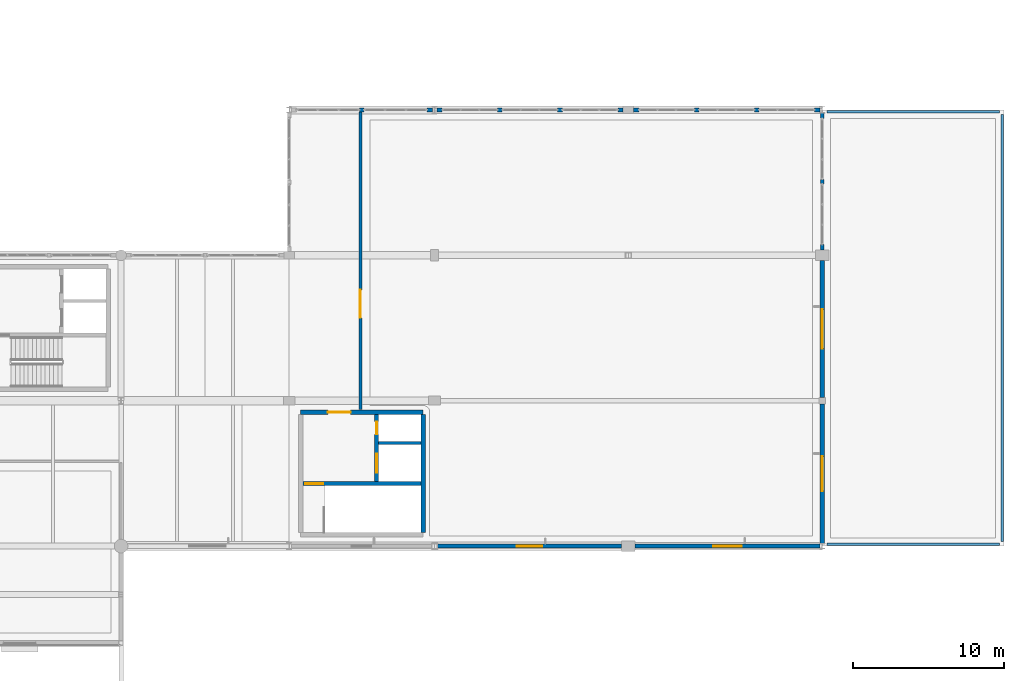
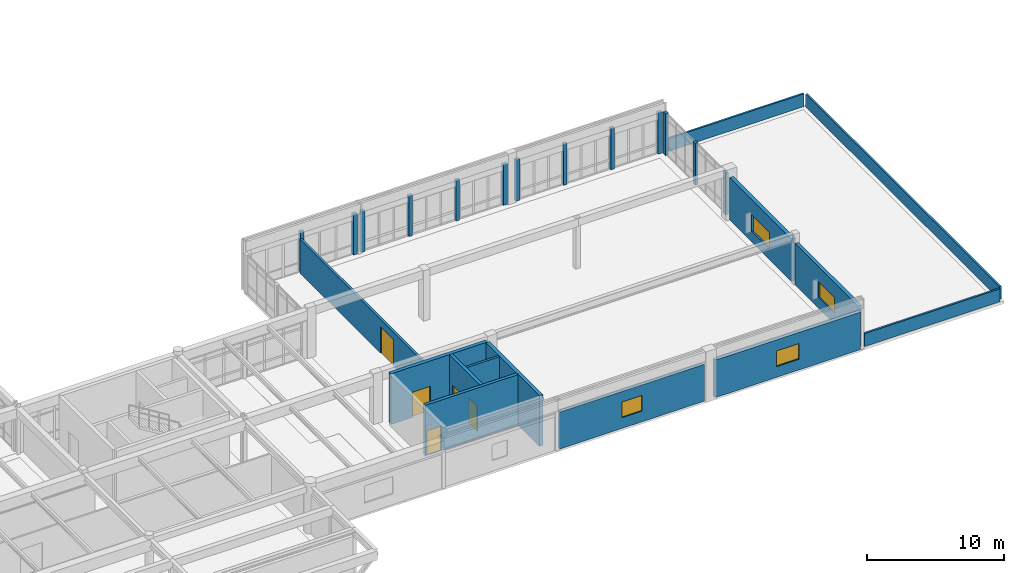
# One storey, part 69 of 80: 26 walls, 5 doors, 4 windows, 9 openings.
"""IFC4 building model written with IfcOpenShell, lengths in metres."""

from ifc_helpers import new_model, si_unit, direction, frame, frame_2d, origin, place, context, subcontext, project, spatial, rectangle, extrude, material, layer, layer_set, type_object, element, fill, save


model = new_model("IFC4")

# Units and contexts
model_context = context("Model", 3, precision=1e-05, world=origin(), true_north=direction((0.0, 1.0)))
body_context = subcontext(model_context, "Body", "Model", "MODEL_VIEW")
ifc_project = project(units=[si_unit("LENGTHUNIT", "METRE"), si_unit("AREAUNIT", "SQUARE_METRE"), si_unit("VOLUMEUNIT", "CUBIC_METRE"), si_unit("PLANEANGLEUNIT", "RADIAN"), si_unit("MASSUNIT", "GRAM", prefix="KILO")], contexts=[model_context])

# Site, building, storey
site_placement = place(None, origin())
site = spatial("IfcSite", under=ifc_project, at=site_placement, CompositionType="ELEMENT")
building_placement = place(site_placement, origin())
building = spatial("IfcBuilding", under=site, at=building_placement, Name="Fikremerkos Civic Library", CompositionType="ELEMENT")
storey_placement = place(building_placement, frame((0.0, 0.0, 9.89990234375)))
storey = spatial("IfcBuildingStorey", under=building, at=storey_placement, Name="L02", CompositionType="ELEMENT", Elevation=9.89990234375)

# Wall, opening, door
ifc_material_1 = material(Name="Concrete C40/50", Category="concrete")
ifc_layer_1 = layer(ifc_material_1, 0.300048828125, Name="Concrete C40/50")
ifc_layer_set_1 = layer_set([ifc_layer_1], Name="Concrete C40/50")
wall_type_1 = type_object("IfcWallType", Name="Core shear wall CSW-01 300", PredefinedType="SHEAR", material=ifc_layer_set_1)
wall_1_placement = place(storey_placement, frame((125.550048828125, 20.85009765625, 0.0), z_axis=(0.0, 0.0, 1.0), x_axis=(1.0, 0.0, 0.0)))
wall_1 = element("IfcWall", 1, at=wall_1_placement, inside=storey, type_object=wall_type_1, Name="Core K4 north shear wall L02", PredefinedType="SHEAR", context=body_context, shape_type="SweptSolid", body=[
    extrude(rectangle(XDim=8.099853515625, YDim=0.300048828125, at=frame_2d((4.0498046875, 0.0))), origin(), (0.0, 0.0, 1.0), 4.5),
])
opening_1_placement = place(wall_1_placement, frame((1.800048828125, 0.0, 0.0)))
opening_1 = element("IfcOpeningElement", 2, at=opening_1_placement, cuts=wall_1, Name="Opening D113", PredefinedType="OPENING", context=body_context, shape_type="SweptSolid", body=[
    extrude(rectangle(XDim=1.5, YDim=2.25, at=frame_2d((0.75, 1.125))), frame((0.0, 0.159912109375, 0.0), z_axis=(0.0, -1.0, 0.0), x_axis=(1.0, 0.0, 0.0)), (0.0, 0.0, 1.0), 0.320068359375),
])
ifc_material_2 = material(Name="Hardwood timber and acoustic glass", Category="wood")
door_type_1 = type_object("IfcDoorType", Name="Pedestrian door DT-05 1500x2250", OperationType="NOTDEFINED", PredefinedType="DOOR", material=ifc_material_2)
door_1_placement = place(opening_1_placement, origin())
door_1 = element("IfcDoor", 3, at=door_1_placement, inside=storey, type_object=door_type_1, Name="Core K4 lobby fire door D113 L02", OperationType="SINGLE_SWING_LEFT", OverallHeight=2.25, OverallWidth=1.5, PredefinedType="DOOR", context=body_context, shape_type="SweptSolid", body=[
    extrude(rectangle(XDim=1.5, YDim=2.25, at=frame_2d((0.75, 1.125))), frame((0.0, 0.032470703125, 0.0), z_axis=(0.0, -1.0, 0.0), x_axis=(1.0, 0.0, 0.0)), (0.0, 0.0, 1.0), 0.06494140625),
])
fill(opening_1, door_1)

# Wall
wall_2_placement = place(storey_placement, frame((133.64990234375, 20.697998046875, 0.0), z_axis=(0.0, 0.0, 1.0), x_axis=(0.0, -1.0, 0.0)))
element("IfcWall", 4, at=wall_2_placement, inside=storey, type_object=wall_type_1, Name="Core K4 east shear wall L02", PredefinedType="SHEAR", context=body_context, shape_type="SweptSolid", body=[
    extrude(rectangle(XDim=7.7958984375, YDim=0.300048828125, at=frame_2d((3.89794921875, 0.0))), origin(), (0.0, 0.0, 1.0), 4.5),
])

# Wall, opening, door
ifc_layer_2 = layer(ifc_material_1, 0.260009765625, Name="Concrete C40/50")
ifc_layer_set_2 = layer_set([ifc_layer_2], Name="Concrete C40/50")
wall_type_2 = type_object("IfcWallType", Name="Core shear wall CSW-02 260", PredefinedType="SHEAR", material=ifc_layer_set_2)
wall_3_placement = place(storey_placement, frame((125.701904296875, 16.1298828125, 0.0), z_axis=(0.0, 0.0, 1.0), x_axis=(1.0, 0.0, 0.0)))
wall_3 = element("IfcWall", 5, at=wall_3_placement, inside=storey, type_object=wall_type_2, Name="Core K4 stair compartment wall L02", PredefinedType="SHEAR", context=body_context, shape_type="SweptSolid", body=[
    extrude(rectangle(XDim=7.796142578125, YDim=0.260009765625, at=frame_2d((3.89794921875, 0.0))), origin(), (0.0, 0.0, 1.0), 4.5),
])
opening_2_placement = place(wall_3_placement, frame((0.14794921875, 0.0, 0.0)))
opening_2 = element("IfcOpeningElement", 6, at=opening_2_placement, cuts=wall_3, Name="Opening D114", PredefinedType="OPENING", context=body_context, shape_type="SweptSolid", body=[
    extrude(rectangle(XDim=1.199951171875, YDim=2.199951171875, at=frame_2d((0.60009765625, 1.10009765625))), frame((0.0, 0.139892578125, 0.0), z_axis=(0.0, -1.0, 0.0), x_axis=(1.0, 0.0, 0.0)), (0.0, 0.0, 1.0), 0.280029296875),
])
door_type_2 = type_object("IfcDoorType", Name="Pedestrian door DT-06 1200x2200", OperationType="NOTDEFINED", PredefinedType="DOOR", material=ifc_material_2)
door_2_placement = place(opening_2_placement, origin())
door_2 = element("IfcDoor", 7, at=door_2_placement, inside=storey, type_object=door_type_2, Name="Core K4 stair fire door D114 L02", OperationType="SINGLE_SWING_RIGHT", OverallHeight=2.199951171875, OverallWidth=1.199951171875, PredefinedType="DOOR", context=body_context, shape_type="SweptSolid", body=[
    extrude(rectangle(XDim=1.199951171875, YDim=2.199951171875, at=frame_2d((0.60009765625, 1.10009765625))), frame((0.0, 0.032470703125, 0.0), z_axis=(0.0, -1.0, 0.0), x_axis=(1.0, 0.0, 0.0)), (0.0, 0.0, 1.0), 0.06494140625),
])
fill(opening_2, door_2)

# Wall, openings, doors
wall_4_placement = place(storey_placement, frame((130.570068359375, 16.261962890625, 0.0), z_axis=(0.0, 0.0, 1.0), x_axis=(0.0, 1.0, 0.0)))
wall_4 = element("IfcWall", 8, at=wall_4_placement, inside=storey, type_object=wall_type_2, Name="Core K4 lift shaft front wall L02", PredefinedType="SHEAR", context=body_context, shape_type="SweptSolid", body=[
    extrude(rectangle(XDim=4.43603515625, YDim=0.260009765625, at=frame_2d((2.218017578125, 0.0))), origin(), (0.0, 0.0, 1.0), 4.5),
])
opening_3_placement = place(wall_4_placement, frame((3.113037109375, 0.0, 0.0)))
opening_3 = element("IfcOpeningElement", 9, at=opening_3_placement, cuts=wall_4, Name="Opening D115", PredefinedType="OPENING", context=body_context, shape_type="SweptSolid", body=[
    extrude(rectangle(XDim=0.85009765625, YDim=2.050048828125, at=frame_2d((0.425048828125, 1.02490234375))), frame((0.0, 0.139892578125, 0.0), z_axis=(0.0, -1.0, 0.0), x_axis=(1.0, 0.0, 0.0)), (0.0, 0.0, 1.0), 0.280029296875),
])
opening_4_placement = place(wall_4_placement, frame((0.593017578125, 0.0, 0.0)))
opening_4 = element("IfcOpeningElement", 10, at=opening_4_placement, cuts=wall_4, Name="Opening LD53", PredefinedType="OPENING", context=body_context, shape_type="SweptSolid", body=[
    extrude(rectangle(XDim=1.25, YDim=2.199951171875, at=frame_2d((0.625, 1.10009765625))), frame((0.0, 0.139892578125, 0.0), z_axis=(0.0, -1.0, 0.0), x_axis=(1.0, 0.0, 0.0)), (0.0, 0.0, 1.0), 0.280029296875),
])
ifc_material_3 = material(Name="Brushed stainless steel", Category="steel")
door_type_3 = type_object("IfcDoorType", Name="Lift landing door LDT-02 1250x2200", OperationType="NOTDEFINED", PredefinedType="DOOR", material=ifc_material_3)
door_3_placement = place(opening_4_placement, origin())
door_3 = element("IfcDoor", 11, at=door_3_placement, inside=storey, type_object=door_type_3, Name="Lift LF07 sliding landing door LD53 L02", OperationType="SLIDING_TO_LEFT", OverallHeight=2.199951171875, OverallWidth=1.25, PredefinedType="DOOR", context=body_context, shape_type="SweptSolid", body=[
    extrude(rectangle(XDim=1.25, YDim=2.199951171875, at=frame_2d((0.625, 1.10009765625))), frame((0.0, 0.032470703125, 0.0), z_axis=(0.0, -1.0, 0.0), x_axis=(1.0, 0.0, 0.0)), (0.0, 0.0, 1.0), 0.06494140625),
])
fill(opening_4, door_3)
door_type_4 = type_object("IfcDoorType", Name="Pedestrian door DT-08 850x2050", OperationType="NOTDEFINED", PredefinedType="DOOR", material=ifc_material_2)
door_4_placement = place(opening_3_placement, origin())
door_4 = element("IfcDoor", 12, at=door_4_placement, inside=storey, type_object=door_type_4, Name="Core K4 riser access fire door D115 L02", OperationType="SINGLE_SWING_RIGHT", OverallHeight=2.050048828125, OverallWidth=0.85009765625, PredefinedType="DOOR", context=body_context, shape_type="SweptSolid", body=[
    extrude(rectangle(XDim=0.85009765625, YDim=2.050048828125, at=frame_2d((0.425048828125, 1.02490234375))), frame((0.0, 0.032470703125, 0.0), z_axis=(0.0, -1.0, 0.0), x_axis=(1.0, 0.0, 0.0)), (0.0, 0.0, 1.0), 0.06494140625),
])
fill(opening_3, door_4)

# Wall, opening, window
ifc_material_4 = material(Name="Precast concrete C40/50", Category="concrete")
ifc_layer_3 = layer(ifc_material_4, 0.320068359375, Name="Precast concrete C40/50")
ifc_layer_set_3 = layer_set([ifc_layer_3], Name="Precast concrete C40/50")
wall_type_3 = type_object("IfcWallType", Name="Exterior solid wall ESW-02 320", PredefinedType="SOLIDWALL", material=ifc_layer_set_3)
wall_5_placement = place(storey_placement, frame((160.0, 30.85205078125, 0.0), z_axis=(0.0, 0.0, 1.0), x_axis=(0.0, -1.0, 0.0)))
wall_5 = element("IfcWall", 13, at=wall_5_placement, inside=storey, type_object=wall_type_3, Name="Exterior solid wall ESW-02 L02 #536", PredefinedType="SOLIDWALL", context=body_context, shape_type="SweptSolid", body=[
    extrude(rectangle(XDim=9.029052734375, YDim=0.320068359375, at=frame_2d((4.5146484375, 0.0))), origin(), (0.0, 0.0, 1.0), 3.77001953125),
])
opening_5_placement = place(wall_5_placement, frame((3.214599609375, 0.0, 0.949951171875)))
opening_5 = element("IfcOpeningElement", 14, at=opening_5_placement, cuts=wall_5, Name="Opening CWND-12", PredefinedType="OPENING", context=body_context, shape_type="SweptSolid", body=[
    extrude(rectangle(XDim=2.60009765625, YDim=1.449951171875, at=frame_2d((1.300048828125, 0.72509765625))), frame((0.0, 0.169921875, 0.0), z_axis=(0.0, -1.0, 0.0), x_axis=(1.0, 0.0, 0.0)), (0.0, 0.0, 1.0), 0.340087890625),
])
ifc_material_5 = material(Name="Solar control double glazing", Category="glass")
window_type_1 = type_object("IfcWindowType", Name="Courtyard window CWND-12 2600x1450", PartitioningType="SINGLE_PANEL", PredefinedType="WINDOW", material=ifc_material_5)
window_1_placement = place(opening_5_placement, origin())
window_1 = element("IfcWindow", 15, at=window_1_placement, inside=storey, type_object=window_type_1, Name="Courtyard window CWND-12 L02 #28", OverallHeight=1.449951171875, OverallWidth=2.60009765625, PartitioningType="SINGLE_PANEL", PredefinedType="WINDOW", context=body_context, shape_type="SweptSolid", body=[
    extrude(rectangle(XDim=2.60009765625, YDim=1.449951171875, at=frame_2d((1.300048828125, 0.72509765625))), frame((0.0, 0.032470703125, 0.0), z_axis=(0.0, -1.0, 0.0), x_axis=(1.0, 0.0, 0.0)), (0.0, 0.0, 1.0), 0.06494140625),
])
fill(opening_5, window_1)

ifc_layer_4 = layer(ifc_material_4, 0.300048828125, Name="Precast concrete C40/50")
ifc_layer_set_4 = layer_set([ifc_layer_4], Name="Precast concrete C40/50")
wall_type_4 = type_object("IfcWallType", Name="Exterior solid wall ESW-03 300", PredefinedType="SOLIDWALL", material=ifc_layer_set_4)
wall_6_placement = place(storey_placement, frame((160.0, 21.376953125, 0.0), z_axis=(0.0, 0.0, 1.0), x_axis=(0.0, -1.0, 0.0)))
wall_6 = element("IfcWall", 16, at=wall_6_placement, inside=storey, type_object=wall_type_4, Name="Exterior solid wall ESW-03 L02 #537", PredefinedType="SOLIDWALL", context=body_context, shape_type="SweptSolid", body=[
    extrude(rectangle(XDim=9.198974609375, YDim=0.300048828125, at=frame_2d((4.599609375, 0.0))), origin(), (0.0, 0.0, 1.0), 3.670166015625),
])
opening_6_placement = place(wall_6_placement, frame((3.449462890625, 0.0, 0.949951171875)))
opening_6 = element("IfcOpeningElement", 17, at=opening_6_placement, cuts=wall_6, Name="Opening CWND-13", PredefinedType="OPENING", context=body_context, shape_type="SweptSolid", body=[
    extrude(rectangle(XDim=2.300048828125, YDim=1.39990234375, at=frame_2d((1.14990234375, 0.699951171875))), frame((0.0, 0.159912109375, 0.0), z_axis=(0.0, -1.0, 0.0), x_axis=(1.0, 0.0, 0.0)), (0.0, 0.0, 1.0), 0.320068359375),
])
window_type_2 = type_object("IfcWindowType", Name="Courtyard window CWND-13 2300x1400", PartitioningType="SINGLE_PANEL", PredefinedType="WINDOW", material=ifc_material_5)
window_2_placement = place(opening_6_placement, origin())
window_2 = element("IfcWindow", 18, at=window_2_placement, inside=storey, type_object=window_type_2, Name="Courtyard window CWND-13 L02 #29", OverallHeight=1.39990234375, OverallWidth=2.300048828125, PartitioningType="SINGLE_PANEL", PredefinedType="WINDOW", context=body_context, shape_type="SweptSolid", body=[
    extrude(rectangle(XDim=2.300048828125, YDim=1.39990234375, at=frame_2d((1.14990234375, 0.699951171875))), frame((0.0, 0.032470703125, 0.0), z_axis=(0.0, -1.0, 0.0), x_axis=(1.0, 0.0, 0.0)), (0.0, 0.0, 1.0), 0.06494140625),
])
fill(opening_6, window_2)

ifc_layer_5 = layer(ifc_material_4, 0.280029296875, Name="Precast concrete C40/50")
ifc_layer_set_5 = layer_set([ifc_layer_5], Name="Precast concrete C40/50")
wall_type_5 = type_object("IfcWallType", Name="Exterior solid wall ESW-04 280", PredefinedType="SOLIDWALL", material=ifc_layer_set_5)
wall_7_placement = place(storey_placement, frame((159.85205078125, 12.0, 0.0), z_axis=(0.0, 0.0, 1.0), x_axis=(-1.0, 0.0, 0.0)))
wall_7 = element("IfcWall", 19, at=wall_7_placement, inside=storey, type_object=wall_type_5, Name="Exterior solid wall ESW-04 L02 #538", PredefinedType="SOLIDWALL", context=body_context, shape_type="SweptSolid", body=[
    extrude(rectangle(XDim=12.2041015625, YDim=0.280029296875, at=frame_2d((6.10205078125, 0.0))), origin(), (0.0, 0.0, 1.0), 3.330078125),
])
opening_7_placement = place(wall_7_placement, frame((5.152099609375, 0.0, 0.949951171875)))
opening_7 = element("IfcOpeningElement", 20, at=opening_7_placement, cuts=wall_7, Name="Opening CWND-14", PredefinedType="OPENING", context=body_context, shape_type="SweptSolid", body=[
    extrude(rectangle(XDim=1.89990234375, YDim=1.39990234375, at=frame_2d((0.949951171875, 0.699951171875))), frame((0.0, 0.14990234375, 0.0), z_axis=(0.0, -1.0, 0.0), x_axis=(1.0, 0.0, 0.0)), (0.0, 0.0, 1.0), 0.300048828125),
])
window_type_3 = type_object("IfcWindowType", Name="Courtyard window CWND-14 1900x1400", PartitioningType="SINGLE_PANEL", PredefinedType="WINDOW", material=ifc_material_5)
window_3_placement = place(opening_7_placement, origin())
window_3 = element("IfcWindow", 21, at=window_3_placement, inside=storey, type_object=window_type_3, Name="Courtyard window CWND-14 L02 #30", OverallHeight=1.39990234375, OverallWidth=1.89990234375, PartitioningType="SINGLE_PANEL", PredefinedType="WINDOW", context=body_context, shape_type="SweptSolid", body=[
    extrude(rectangle(XDim=1.89990234375, YDim=1.39990234375, at=frame_2d((0.949951171875, 0.699951171875))), frame((0.0, 0.032470703125, 0.0), z_axis=(0.0, -1.0, 0.0), x_axis=(1.0, 0.0, 0.0)), (0.0, 0.0, 1.0), 0.06494140625),
])
fill(opening_7, window_3)

# Walls
ifc_layer_6 = layer(ifc_material_4, 0.25, Name="Precast concrete C40/50")
ifc_layer_set_6 = layer_set([ifc_layer_6], Name="Precast concrete C40/50")
wall_type_6 = type_object("IfcWallType", Name="Exterior solid wall ESW-05 250", PredefinedType="SOLIDWALL", material=ifc_layer_set_6)
wall_8_placement = place(storey_placement, frame((133.902099609375, 40.800048828125, 0.0), z_axis=(0.0, 0.0, 1.0), x_axis=(1.0, 0.0, 0.0)))
element("IfcWall", 22, at=wall_8_placement, inside=storey, type_object=wall_type_6, Name="Exterior facade pier ESW-05 #523", PredefinedType="SOLIDWALL", context=body_context, shape_type="SweptSolid", body=[
    extrude(rectangle(XDim=0.349853515625, YDim=0.25, at=frame_2d((0.1748046875, 0.0))), origin(), (0.0, 0.0, 1.0), 3.6201171875),
])
wall_9_placement = place(storey_placement, frame((129.449951171875, 40.800048828125, 0.0), z_axis=(0.0, 0.0, 1.0), x_axis=(1.0, 0.0, 0.0)))
element("IfcWall", 23, at=wall_9_placement, inside=storey, type_object=wall_type_6, Name="Exterior facade mullion pier ESW-05 #524", PredefinedType="SOLIDWALL", context=body_context, shape_type="SweptSolid", body=[
    extrude(rectangle(XDim=0.300048828125, YDim=0.25, at=frame_2d((0.14990234375, 0.0))), origin(), (0.0, 0.0, 1.0), 3.6201171875),
])
wall_10_placement = place(storey_placement, frame((134.548095703125, 40.800048828125, 0.0), z_axis=(0.0, 0.0, 1.0), x_axis=(1.0, 0.0, 0.0)))
element("IfcWall", 24, at=wall_10_placement, inside=storey, type_object=wall_type_6, Name="Exterior facade pier ESW-05 #525", PredefinedType="SOLIDWALL", context=body_context, shape_type="SweptSolid", body=[
    extrude(rectangle(XDim=0.349853515625, YDim=0.25, at=frame_2d((0.1748046875, 0.0))), origin(), (0.0, 0.0, 1.0), 3.6201171875),
])
wall_11_placement = place(storey_placement, frame((146.501953125, 40.800048828125, 0.0), z_axis=(0.0, 0.0, 1.0), x_axis=(1.0, 0.0, 0.0)))
element("IfcWall", 25, at=wall_11_placement, inside=storey, type_object=wall_type_6, Name="Exterior facade pier ESW-05 #526", PredefinedType="SOLIDWALL", context=body_context, shape_type="SweptSolid", body=[
    extrude(rectangle(XDim=0.35009765625, YDim=0.25, at=frame_2d((0.175048828125, 0.0))), origin(), (0.0, 0.0, 1.0), 3.6201171875),
])
for number, where, z_axis, x_axis, name in (
    (26, (138.56591796875, 40.800048828125, 0.0), (0.0, 0.0, 1.0), (1.0, 0.0, 0.0), "Exterior facade mullion pier ESW-05 #527"),
    (27, (142.533935546875, 40.800048828125, 0.0), (0.0, 0.0, 1.0), (1.0, 0.0, 0.0), "Exterior facade mullion pier ESW-05 #528"),
):
    element("IfcWall", number, at=place(storey_placement, frame(where, z_axis=z_axis, x_axis=x_axis)), inside=storey, type_object=wall_type_6, Name=name, PredefinedType="SOLIDWALL", context=body_context, shape_type="SweptSolid", body=[
        extrude(rectangle(XDim=0.300048828125, YDim=0.25, at=frame_2d((0.14990234375, 0.0))), origin(), (0.0, 0.0, 1.0), 3.6201171875),
    ])
wall_12_placement = place(storey_placement, frame((147.548095703125, 40.800048828125, 0.0), z_axis=(0.0, 0.0, 1.0), x_axis=(1.0, 0.0, 0.0)))
element("IfcWall", 28, at=wall_12_placement, inside=storey, type_object=wall_type_6, Name="Exterior facade pier ESW-05 #529", PredefinedType="SOLIDWALL", context=body_context, shape_type="SweptSolid", body=[
    extrude(rectangle(XDim=0.349853515625, YDim=0.25, at=frame_2d((0.1748046875, 0.0))), origin(), (0.0, 0.0, 1.0), 3.670166015625),
])
wall_13_placement = place(storey_placement, frame((159.501953125, 40.800048828125, 0.0), z_axis=(0.0, 0.0, 1.0), x_axis=(1.0, 0.0, 0.0)))
element("IfcWall", 29, at=wall_13_placement, inside=storey, type_object=wall_type_6, Name="Exterior facade pier ESW-05 #530", PredefinedType="SOLIDWALL", context=body_context, shape_type="SweptSolid", body=[
    extrude(rectangle(XDim=0.35009765625, YDim=0.25, at=frame_2d((0.175048828125, 0.0))), origin(), (0.0, 0.0, 1.0), 3.670166015625),
])
for number, where, z_axis, x_axis, name in (
    (30, (151.56591796875, 40.800048828125, 0.0), (0.0, 0.0, 1.0), (1.0, 0.0, 0.0), "Exterior facade mullion pier ESW-05 #531"),
    (31, (155.533935546875, 40.800048828125, 0.0), (0.0, 0.0, 1.0), (1.0, 0.0, 0.0), "Exterior facade mullion pier ESW-05 #532"),
):
    element("IfcWall", number, at=place(storey_placement, frame(where, z_axis=z_axis, x_axis=x_axis)), inside=storey, type_object=wall_type_6, Name=name, PredefinedType="SOLIDWALL", context=body_context, shape_type="SweptSolid", body=[
        extrude(rectangle(XDim=0.300048828125, YDim=0.25, at=frame_2d((0.14990234375, 0.0))), origin(), (0.0, 0.0, 1.0), 3.670166015625),
    ])
wall_14_placement = place(storey_placement, frame((160.0, 40.58203125, 0.0), z_axis=(0.0, 0.0, 1.0), x_axis=(0.0, -1.0, 0.0)))
element("IfcWall", 32, at=wall_14_placement, inside=storey, type_object=wall_type_6, Name="Exterior facade pier ESW-05 #533", PredefinedType="SOLIDWALL", context=body_context, shape_type="SweptSolid", body=[
    extrude(rectangle(XDim=0.35009765625, YDim=0.25, at=frame_2d((0.175048828125, 0.0))), origin(), (0.0, 0.0, 1.0), 3.72021484375),
])
wall_15_placement = place(storey_placement, frame((160.0, 31.89794921875, 0.0), z_axis=(0.0, 0.0, 1.0), x_axis=(0.0, -1.0, 0.0)))
element("IfcWall", 33, at=wall_15_placement, inside=storey, type_object=wall_type_6, Name="Exterior facade pier ESW-05 #534", PredefinedType="SOLIDWALL", context=body_context, shape_type="SweptSolid", body=[
    extrude(rectangle(XDim=0.349853515625, YDim=0.25, at=frame_2d((0.1748046875, 0.0))), origin(), (0.0, 0.0, 1.0), 3.72021484375),
])
wall_16_placement = place(storey_placement, frame((160.0, 36.215087890625, 0.0), z_axis=(0.0, 0.0, 1.0), x_axis=(0.0, -1.0, 0.0)))
element("IfcWall", 34, at=wall_16_placement, inside=storey, type_object=wall_type_6, Name="Exterior facade mullion pier ESW-05 #535", PredefinedType="SOLIDWALL", context=body_context, shape_type="SweptSolid", body=[
    extrude(rectangle(XDim=0.300048828125, YDim=0.25, at=frame_2d((0.14990234375, 0.0))), origin(), (0.0, 0.0, 1.0), 3.72021484375),
])

# Wall, opening, window
wall_17_placement = place(storey_placement, frame((146.751953125, 12.0, 0.0), z_axis=(0.0, 0.0, 1.0), x_axis=(-1.0, 0.0, 0.0)))
wall_17 = element("IfcWall", 35, at=wall_17_placement, inside=storey, type_object=wall_type_6, Name="Exterior solid wall ESW-05 L02 #539", PredefinedType="SOLIDWALL", context=body_context, shape_type="SweptSolid", body=[
    extrude(rectangle(XDim=12.154052734375, YDim=0.25, at=frame_2d((6.0771484375, 0.0))), origin(), (0.0, 0.0, 1.0), 3.280029296875),
])
opening_8_placement = place(wall_17_placement, frame((5.22705078125, 0.0, 0.949951171875)))
opening_8 = element("IfcOpeningElement", 36, at=opening_8_placement, cuts=wall_17, Name="Opening CWND-15", PredefinedType="OPENING", context=body_context, shape_type="SweptSolid", body=[
    extrude(rectangle(XDim=1.699951171875, YDim=1.39990234375, at=frame_2d((0.85009765625, 0.699951171875))), frame((0.0, 0.135009765625, 0.0), z_axis=(0.0, -1.0, 0.0), x_axis=(1.0, 0.0, 0.0)), (0.0, 0.0, 1.0), 0.27001953125),
])
window_type_4 = type_object("IfcWindowType", Name="Courtyard window CWND-15 1700x1400", PartitioningType="SINGLE_PANEL", PredefinedType="WINDOW", material=ifc_material_5)
window_4_placement = place(opening_8_placement, origin())
window_4 = element("IfcWindow", 37, at=window_4_placement, inside=storey, type_object=window_type_4, Name="Courtyard window CWND-15 L02 #31", OverallHeight=1.39990234375, OverallWidth=1.699951171875, PartitioningType="SINGLE_PANEL", PredefinedType="WINDOW", context=body_context, shape_type="SweptSolid", body=[
    extrude(rectangle(XDim=1.699951171875, YDim=1.39990234375, at=frame_2d((0.85009765625, 0.699951171875))), frame((0.0, 0.032470703125, 0.0), z_axis=(0.0, -1.0, 0.0), x_axis=(1.0, 0.0, 0.0)), (0.0, 0.0, 1.0), 0.06494140625),
])
fill(opening_8, window_4)

# Wall, opening, door
ifc_material_6 = material(Name="Acoustic concrete blockwork", Category="masonry")
ifc_layer_7 = layer(ifc_material_6, 0.18994140625, Name="Acoustic concrete blockwork")
ifc_layer_set_7 = layer_set([ifc_layer_7], Name="Acoustic concrete blockwork")
wall_type_7 = type_object("IfcWallType", Name="Interior partition wall IPW-01 190", PredefinedType="PARTITIONING", material=ifc_layer_set_7)
wall_18_placement = place(storey_placement, frame((129.5, 21.0029296875, 0.0), z_axis=(0.0, 0.0, 1.0), x_axis=(0.0, 1.0, 0.0)))
wall_18 = element("IfcWall", 38, at=wall_18_placement, inside=storey, type_object=wall_type_7, Name="Interior wall IPW-01 L02 #204", PredefinedType="PARTITIONING", context=body_context, shape_type="SweptSolid", body=[
    extrude(rectangle(XDim=19.66796875, YDim=0.18994140625, at=frame_2d((9.833984375, 0.0))), origin(), (0.0, 0.0, 1.0), 3.010009765625),
])
opening_9_placement = place(wall_18_placement, frame((6.072021484375, 0.0, 0.0)))
opening_9 = element("IfcOpeningElement", 39, at=opening_9_placement, cuts=wall_18, Name="Opening D227", PredefinedType="OPENING", context=body_context, shape_type="SweptSolid", body=[
    extrude(rectangle(XDim=1.85009765625, YDim=2.35009765625, at=frame_2d((0.925048828125, 1.175048828125))), frame((0.0, 0.10498046875, 0.0), z_axis=(0.0, -1.0, 0.0), x_axis=(1.0, 0.0, 0.0)), (0.0, 0.0, 1.0), 0.2099609375),
])
door_type_5 = type_object("IfcDoorType", Name="Pedestrian door DT-09 1850x2350", OperationType="NOTDEFINED", PredefinedType="DOOR", material=ifc_material_2)
door_5_placement = place(opening_9_placement, origin())
door_5 = element("IfcDoor", 40, at=door_5_placement, inside=storey, type_object=door_type_5, Name="Interior door D227 L02", OperationType="SINGLE_SWING_RIGHT", OverallHeight=2.35009765625, OverallWidth=1.85009765625, PredefinedType="DOOR", context=body_context, shape_type="SweptSolid", body=[
    extrude(rectangle(XDim=1.85009765625, YDim=2.35009765625, at=frame_2d((0.925048828125, 1.175048828125))), frame((0.0, 0.032470703125, 0.0), z_axis=(0.0, -1.0, 0.0), x_axis=(1.0, 0.0, 0.0)), (0.0, 0.0, 1.0), 0.06494140625),
])
fill(opening_9, door_5)

# Walls
ifc_layer_8 = layer(ifc_material_4, 0.159912109375, Name="Precast concrete C40/50")
ifc_layer_set_8 = layer_set([ifc_layer_8], Name="Precast concrete C40/50")
wall_type_8 = type_object("IfcWallType", Name="Roof parapet wall PAR-02 160", PredefinedType="PARAPET", material=ifc_layer_set_8)
for number, where, z_axis, x_axis, name in (
    (41, (160.300048828125, 12.1201171875, 0.0), (0.0, 0.0, 1.0), (1.0, 0.0, 0.0), "Roof parapet wall PAR-02 RF-L02-V3E S"),
    (42, (160.300048828125, 40.679931640625, 0.0), (0.0, 0.0, 1.0), (1.0, 0.0, 0.0), "Roof parapet wall PAR-02 RF-L02-V3E N"),
):
    element("IfcWall", number, at=place(storey_placement, frame(where, z_axis=z_axis, x_axis=x_axis)), inside=storey, type_object=wall_type_8, Name=name, PredefinedType="PARAPET", context=body_context, shape_type="SweptSolid", body=[
        extrude(rectangle(XDim=11.39990234375, YDim=0.159912109375, at=frame_2d((5.699951171875, 0.0))), origin(), (0.0, 0.0, 1.0), 1.150146484375),
    ])
wall_19_placement = place(storey_placement, frame((171.8798828125, 12.300048828125, 0.0), z_axis=(0.0, 0.0, 1.0), x_axis=(0.0, 1.0, 0.0)))
element("IfcWall", 43, at=wall_19_placement, inside=storey, type_object=wall_type_8, Name="Roof parapet wall PAR-02 RF-L02-V3E E", PredefinedType="PARAPET", context=body_context, shape_type="SweptSolid", body=[
    extrude(rectangle(XDim=28.199951171875, YDim=0.159912109375, at=frame_2d((14.10009765625, 0.0))), origin(), (0.0, 0.0, 1.0), 1.150146484375),
])
ifc_material_7 = material(Name="Concrete C35/45", Category="concrete")
ifc_layer_9 = layer(ifc_material_7, 0.199951171875, Name="Concrete C35/45")
ifc_layer_set_9 = layer_set([ifc_layer_9], Name="Concrete C35/45")
wall_type_9 = type_object("IfcWallType", Name="Service duct wall SDW-01 200", PredefinedType="PLUMBINGWALL", material=ifc_layer_set_9)
wall_20_placement = place(storey_placement, frame((130.701904296875, 18.800048828125, 0.0), z_axis=(0.0, 0.0, 1.0), x_axis=(1.0, 0.0, 0.0)))
element("IfcWall", 44, at=wall_20_placement, inside=storey, type_object=wall_type_9, Name="Core K4 lift-riser divider wall L02", PredefinedType="PLUMBINGWALL", context=body_context, shape_type="SweptSolid", body=[
    extrude(rectangle(XDim=2.796142578125, YDim=0.199951171875, at=frame_2d((1.39794921875, 0.0))), origin(), (0.0, 0.0, 1.0), 4.4501953125),
])

save(model, "model.ifc")
